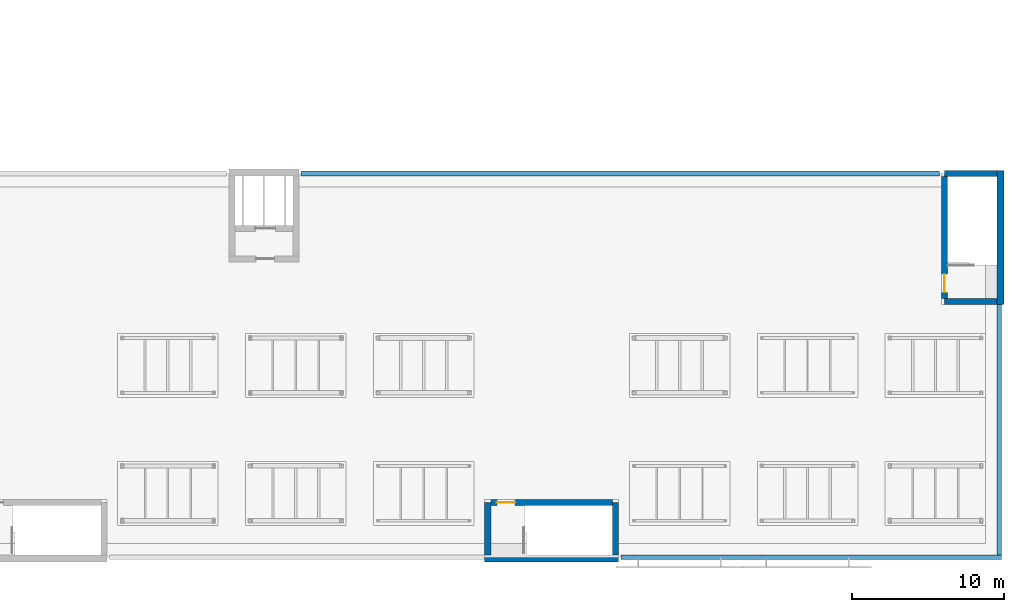
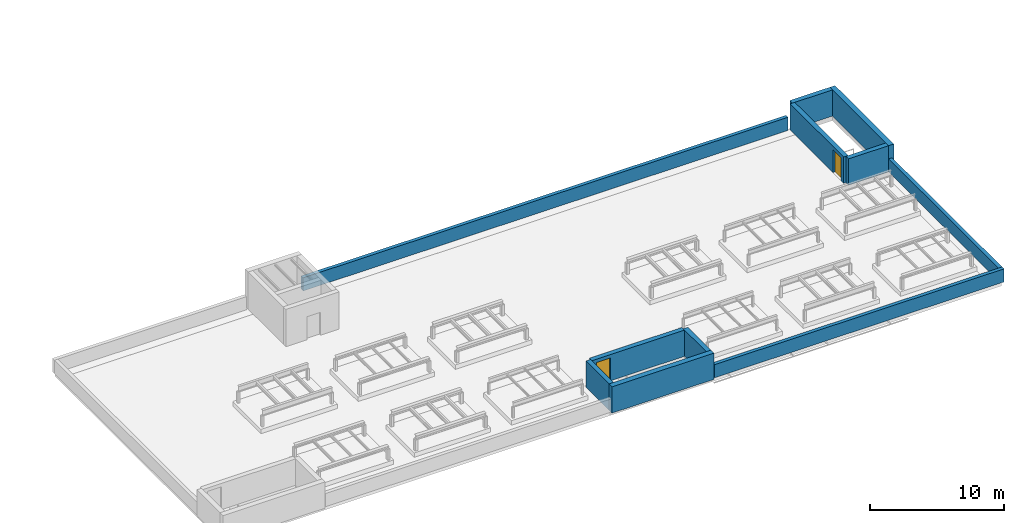
# One storey, part 13 of 18: 11 walls, 2 doors, 2 openings.
"""IFC4 building model written with IfcOpenShell, lengths in metres."""

import ifcopenshell
import ifcopenshell.guid

model = None  # the IFC model being written
_history = None  # IfcOwnerHistory: only IFC2X3 demands one
_inside = {}  # id of a spatial element -> (the spatial element, [elements in it])
_under = {}  # id of a project, library or spatial element -> (it, [spatial elements below it])
_declared = {}  # id of a project -> (the project, [libraries it declares])
_typed = {}  # id of a type object -> (the type object, [elements of that type])
_made_of = {}  # id of a material, layer set ... -> (it, [elements and type objects made of it])


def new_model(schema):
    """Start an empty IFC model of exactly this schema.

    Asked for "IFC4X3", IfcOpenShell would pick the latest addendum, in which some entities
    have other attributes; the version numbers below select the first issue.
    IFC2X3 requires an IfcOwnerHistory on every rooted entity: one is made here for all.
    """
    global model, _history
    if schema == "IFC4X3":
        model = ifcopenshell.file(schema_version=(4, 3, 0, 0))
    else:
        model = ifcopenshell.file(schema=schema)
    _inside.clear()
    _under.clear()
    _declared.clear()
    _typed.clear()
    _made_of.clear()
    _history = None
    if model.schema == "IFC2X3":
        org = make("IfcOrganization", Name="unknown")
        user = make(
            "IfcPersonAndOrganization",
            ThePerson=make("IfcPerson", FamilyName="unknown"),
            TheOrganization=org,
        )
        app = make(
            "IfcApplication",
            ApplicationDeveloper=org,
            Version="unknown",
            ApplicationFullName="unknown",
            ApplicationIdentifier="unknown",
        )
        _history = make(
            "IfcOwnerHistory",
            OwningUser=user,
            OwningApplication=app,
            ChangeAction="ADDED",
            CreationDate=0,
        )
    return model


def make(cls, **values):
    """One entity of the class cls with the attributes given. An attribute that is None is left unset."""
    return model.create_entity(
        cls, **{name: value for name, value in values.items() if value is not None}
    )


def rooted(cls, **values):
    """An entity with a GlobalId (a new one), such as an element, a storey or a relation."""
    return make(cls, GlobalId=ifcopenshell.guid.new(), OwnerHistory=_history, **values)


def si_unit(unit_type, name, prefix=None):
    """IfcSIUnit, for example si_unit("LENGTHUNIT", "METRE", prefix="MILLI")."""
    return make("IfcSIUnit", UnitType=unit_type, Prefix=prefix, Name=name)


def assignment(units):
    """IfcUnitAssignment: the units of a project."""
    return None if units is None else make("IfcUnitAssignment", Units=units)


def point(xyz):
    """IfcCartesianPoint."""
    return None if xyz is None else make("IfcCartesianPoint", Coordinates=xyz)


def direction(xyz):
    """IfcDirection."""
    return None if xyz is None else make("IfcDirection", DirectionRatios=xyz)


def frame(location, z_axis=None, x_axis=None):
    """IfcAxis2Placement3D, a coordinate frame: its origin and axes. An axis left out is left unset."""
    return make(
        "IfcAxis2Placement3D",
        Location=point(location),
        Axis=direction(z_axis),
        RefDirection=direction(x_axis),
    )


def frame_2d(location, x_axis=None):
    """IfcAxis2Placement2D, a coordinate frame in the plane: its origin and x axis."""
    return make(
        "IfcAxis2Placement2D", Location=point(location), RefDirection=direction(x_axis)
    )


def origin():
    """The frame at (0, 0, 0) with its axes left unset."""
    return frame((0.0, 0.0, 0.0))


def place(relative_to, where):
    """IfcLocalPlacement: puts the frame where relative to a parent placement (None: the world)."""
    return make(
        "IfcLocalPlacement", PlacementRelTo=relative_to, RelativePlacement=where
    )


def context(
    kind, dimensions, precision=None, world=None, true_north=None, identifier=None
):
    """IfcGeometricRepresentationContext, for example the 3D "Model" context."""
    return make(
        "IfcGeometricRepresentationContext",
        ContextIdentifier=identifier,
        ContextType=kind,
        CoordinateSpaceDimension=dimensions,
        Precision=precision,
        WorldCoordinateSystem=world,
        TrueNorth=true_north,
    )


def subcontext(parent, identifier, kind, view, scale=None):
    """IfcGeometricRepresentationSubContext, for example "Body" below "Model"."""
    return make(
        "IfcGeometricRepresentationSubContext",
        ContextIdentifier=identifier,
        ContextType=kind,
        ParentContext=parent,
        TargetScale=scale,
        TargetView=view,
    )


def project(units=None, contexts=None):
    """IfcProject with its units and contexts."""
    return rooted(
        "IfcProject",
        Name="project",
        RepresentationContexts=contexts,
        UnitsInContext=assignment(units),
    )


def spatial(cls, under=None, at=None, **own):
    """A site, building, storey or space (cls), placed at a placement, below another one or the project."""
    s = rooted(cls, ObjectPlacement=at, **own)
    if under is not None:
        _under.setdefault(under.id(), (under, []))[1].append(s)
    return s


def profile(cls, at=None, kind="AREA", **sizes):
    """A parametric profile (cls). Its sizes go by their IFC names, for example OverallWidth=200.0."""
    return make(cls, ProfileType=kind, Position=at, **sizes)


def rectangle(**sizes):
    """IfcRectangleProfileDef."""
    return profile("IfcRectangleProfileDef", **sizes)


def extrude(swept, where, along, depth):
    """IfcExtrudedAreaSolid: the profile swept, set in the frame where, extruded along a direction by depth."""
    return make(
        "IfcExtrudedAreaSolid",
        SweptArea=swept,
        Position=where,
        ExtrudedDirection=direction(along),
        Depth=depth,
    )


def shape(context_of_items, identifier, shape_type, items):
    """IfcShapeRepresentation: the items that make up one representation, for example the "Body"."""
    return make(
        "IfcShapeRepresentation",
        ContextOfItems=context_of_items,
        RepresentationIdentifier=identifier,
        RepresentationType=shape_type,
        Items=items,
    )


def material(Name=None, Category=None):
    """IfcMaterial."""
    return make("IfcMaterial", Name=Name, Category=Category)


def layer(
    of_material, thickness, ventilated=None, Name=None, Category=None, Priority=None
):
    """IfcMaterialLayer: one layer of a wall or slab, of a material (None: an air gap)."""
    return make(
        "IfcMaterialLayer",
        Material=of_material,
        LayerThickness=thickness,
        IsVentilated=ventilated,
        Name=Name,
        Category=Category,
        Priority=Priority,
    )


def layer_set(layers, Name=None):
    """IfcMaterialLayerSet."""
    return make("IfcMaterialLayerSet", MaterialLayers=layers, LayerSetName=Name)


def made_of(thing, what):
    """Note that an element or type object is made of a material, layer set ...; save() writes the relation."""
    if what is not None:
        _made_of.setdefault(what.id(), (what, []))[1].append(thing)
    return thing


def type_object(cls, material=None, **own):
    """A type object (cls), such as IfcWallType, which elements share."""
    return made_of(rooted(cls, **own), material)


def element(
    cls,
    number,
    at=None,
    inside=None,
    cuts=None,
    type_object=None,
    material=None,
    context=None,
    identifier="Body",
    shape_type=None,
    held_by="IfcProductDefinitionShape",
    body=None,
    shapes=None,
    **own,
):
    """One element of the class cls, such as IfcWall. Its Tag is "e" and its number.

    at: its placement. inside: the storey or other place that contains it. cuts: it is an
    opening in that element (IfcRelVoidsElement). A single representation is given by context,
    identifier, shape_type and body (its items); several are given by shapes. held_by: the class
    of the entity that holds the representations. save() writes the other relations.
    """
    e = rooted(cls, Tag="e%d" % number, ObjectPlacement=at, **own)
    if body is not None:
        shapes = [shape(context, identifier, shape_type, body)]
    if shapes is not None:
        e.Representation = make(held_by, Representations=shapes)
    if inside is not None:
        _inside.setdefault(inside.id(), (inside, []))[1].append(e)
    if cuts is not None:
        rooted(
            "IfcRelVoidsElement", RelatingBuildingElement=cuts, RelatedOpeningElement=e
        )
    if type_object is not None:
        _typed.setdefault(type_object.id(), (type_object, []))[1].append(e)
    return made_of(e, material)


def fill(opening, filler):
    """IfcRelFillsElement: the door or window that sits in an opening."""
    return rooted(
        "IfcRelFillsElement",
        RelatingOpeningElement=opening,
        RelatedBuildingElement=filler,
    )


def aggregate(whole, parts):
    """IfcRelAggregates: a whole, such as a stair, and the parts it consists of."""
    return rooted("IfcRelAggregates", RelatingObject=whole, RelatedObjects=parts)


def save(model, path):
    """Write the relations noted so far, then the file.

    IfcRelAggregates (storeys below a building ...), IfcRelContainedInSpatialStructure (elements
    in a storey), IfcRelDefinesByType, IfcRelAssociatesMaterial and IfcRelDeclares: one each for
    every whole, place, type object, material and project.
    """
    for whole, parts in _under.values():
        aggregate(whole, parts)
    for where, things in _inside.values():
        rooted(
            "IfcRelContainedInSpatialStructure",
            RelatedElements=things,
            RelatingStructure=where,
        )
    for kind, things in _typed.values():
        rooted("IfcRelDefinesByType", RelatedObjects=things, RelatingType=kind)
    for what, things in _made_of.values():
        rooted("IfcRelAssociatesMaterial", RelatedObjects=things, RelatingMaterial=what)
    for by, libraries in _declared.values():
        rooted("IfcRelDeclares", RelatingContext=by, RelatedDefinitions=libraries)
    model.write(path)


model = new_model("IFC4")

# Units and contexts
model_context = context("Model", 3, precision=1e-05, world=origin(), true_north=direction((0.0, 1.0)))
body_context = subcontext(model_context, "Body", "Model", "MODEL_VIEW")
ifc_project = project(units=[si_unit("LENGTHUNIT", "METRE"), si_unit("AREAUNIT", "SQUARE_METRE"), si_unit("VOLUMEUNIT", "CUBIC_METRE"), si_unit("PLANEANGLEUNIT", "RADIAN"), si_unit("MASSUNIT", "GRAM", prefix="KILO")], contexts=[model_context])

# Site, building, storey
site_placement = place(None, origin())
site = spatial("IfcSite", under=ifc_project, at=site_placement, CompositionType="ELEMENT")
building_placement = place(site_placement, origin())
building = spatial("IfcBuilding", under=site, at=building_placement, Name="Yavir Park General Hospital", CompositionType="ELEMENT")
storey_placement = place(building_placement, frame((0.0, 0.0, 29.699951171875)))
storey = spatial("IfcBuildingStorey", under=building, at=storey_placement, Name="RF", CompositionType="ELEMENT", Elevation=29.699951171875)

# Walls
ifc_material_1 = material(Name="Concrete C35/45", Category="concrete")
ifc_layer_1 = layer(ifc_material_1, 0.39990234375)
ifc_layer_set_1 = layer_set([ifc_layer_1], Name="Concrete C35/45")
wall_type_1 = type_object("IfcWallType", Name="Reinforced concrete core wall 400, REI 150", PredefinedType="SHEAR", material=ifc_layer_set_1)
for number, where, z_axis, x_axis, name in (
    (1, (134.39990234375, 0.14990234375, 0.0), (0.0, 0.0, 1.0), (0.0, 1.0, 0.0), "Head-house end wall SU5 E1"),
    (2, (142.800048828125, 0.14990234375, 0.0), (0.0, 0.0, 1.0), (0.0, 1.0, 0.0), "Head-house end wall SU5 E2"),
):
    element("IfcWall", number, at=place(storey_placement, frame(where, z_axis=z_axis, x_axis=x_axis)), inside=storey, type_object=wall_type_1, Name=name, PredefinedType="SHEAR", context=body_context, shape_type="SweptSolid", body=[
        extrude(rectangle(XDim=3.4501953125, YDim=0.39990234375, at=frame_2d((1.72509765625, 0.0))), origin(), (0.0, 0.0, 1.0), 2.400146484375),
    ])

# Wall, opening, door
wall_1_placement = place(storey_placement, frame((134.60009765625, 3.60009765625, 0.0), z_axis=(0.0, 0.0, 1.0), x_axis=(1.0, 0.0, 0.0)))
wall_1 = element("IfcWall", 3, at=wall_1_placement, inside=storey, type_object=wall_type_1, Name="Head-house landing wall SU5", PredefinedType="SHEAR", context=body_context, shape_type="SweptSolid", body=[
    extrude(rectangle(XDim=8.0, YDim=0.39990234375, at=frame_2d((4.0, 0.0))), origin(), (0.0, 0.0, 1.0), 2.400146484375),
])
opening_1_placement = place(wall_1_placement, frame((0.39990234375, 0.0, 0.0)))
opening_1 = element("IfcOpeningElement", 4, at=opening_1_placement, cuts=wall_1, Name="Opening RF.X04", PredefinedType="OPENING", context=body_context, shape_type="SweptSolid", body=[
    extrude(rectangle(XDim=1.199951171875, YDim=2.10009765625, at=frame_2d((0.60009765625, 1.050048828125))), frame((0.0, 0.2099609375, 0.0), z_axis=(0.0, -1.0, 0.0), x_axis=(1.0, 0.0, 0.0)), (0.0, 0.0, 1.0), 0.419921875),
])
ifc_material_2 = material(Name="Steel frame, fire-resisting timber leaf", Category="steel")
door_type = type_object("IfcDoorType", Name="Fire door 1200 x 2100, EI 60", OperationType="SINGLE_SWING_LEFT", PredefinedType="DOOR", material=ifc_material_2)
door_1_placement = place(opening_1_placement, origin())
door_1 = element("IfcDoor", 5, at=door_1_placement, inside=storey, type_object=door_type, Name="RF.X04", OperationType="SINGLE_SWING_RIGHT", OverallHeight=2.10009765625, OverallWidth=1.199951171875, PredefinedType="DOOR", context=body_context, shape_type="SweptSolid", body=[
    extrude(rectangle(XDim=1.199951171875, YDim=2.10009765625, at=frame_2d((0.60009765625, 1.050048828125))), frame((0.0, 0.02490234375, 0.0), z_axis=(0.0, -1.0, 0.0), x_axis=(1.0, 0.0, 0.0)), (0.0, 0.0, 1.0), 0.050048828125),
])
fill(opening_1, door_1)

# Walls
for number, where, z_axis, x_axis, name in (
    (6, (167.85009765625, 16.800048828125, 0.0), (0.0, 0.0, 1.0), (-1.0, 0.0, 0.0), "Head-house end wall SU6 E1"),
    (7, (167.85009765625, 25.199951171875, 0.0), (0.0, 0.0, 1.0), (-1.0, 0.0, 0.0), "Head-house end wall SU6 E2"),
):
    element("IfcWall", number, at=place(storey_placement, frame(where, z_axis=z_axis, x_axis=x_axis)), inside=storey, type_object=wall_type_1, Name=name, PredefinedType="SHEAR", context=body_context, shape_type="SweptSolid", body=[
        extrude(rectangle(XDim=3.4501953125, YDim=0.39990234375, at=frame_2d((1.72509765625, 0.0))), origin(), (0.0, 0.0, 1.0), 2.400146484375),
    ])

# Wall, opening, door
wall_2_placement = place(storey_placement, frame((164.39990234375, 17.0, 0.0), z_axis=(0.0, 0.0, 1.0), x_axis=(0.0, 1.0, 0.0)))
wall_2 = element("IfcWall", 8, at=wall_2_placement, inside=storey, type_object=wall_type_1, Name="Head-house landing wall SU6", PredefinedType="SHEAR", context=body_context, shape_type="SweptSolid", body=[
    extrude(rectangle(XDim=8.0, YDim=0.39990234375, at=frame_2d((4.0, 0.0))), origin(), (0.0, 0.0, 1.0), 2.400146484375),
])
opening_2_placement = place(wall_2_placement, frame((0.39990234375, 0.0, 0.0)))
opening_2 = element("IfcOpeningElement", 9, at=opening_2_placement, cuts=wall_2, Name="Opening RF.X05", PredefinedType="OPENING", context=body_context, shape_type="SweptSolid", body=[
    extrude(rectangle(XDim=1.199951171875, YDim=2.10009765625, at=frame_2d((0.60009765625, 1.050048828125))), frame((0.0, 0.2099609375, 0.0), z_axis=(0.0, -1.0, 0.0), x_axis=(1.0, 0.0, 0.0)), (0.0, 0.0, 1.0), 0.419921875),
])
door_2_placement = place(opening_2_placement, origin())
door_2 = element("IfcDoor", 10, at=door_2_placement, inside=storey, type_object=door_type, Name="RF.X05", OperationType="SINGLE_SWING_RIGHT", OverallHeight=2.10009765625, OverallWidth=1.199951171875, PredefinedType="DOOR", context=body_context, shape_type="SweptSolid", body=[
    extrude(rectangle(XDim=1.199951171875, YDim=2.10009765625, at=frame_2d((0.60009765625, 1.050048828125))), frame((0.0, 0.02490234375, 0.0), z_axis=(0.0, -1.0, 0.0), x_axis=(1.0, 0.0, 0.0)), (0.0, 0.0, 1.0), 0.050048828125),
])
fill(opening_2, door_2)

# Walls
ifc_material_3 = material(Name="Concrete C30/37", Category="concrete")
ifc_layer_2 = layer(ifc_material_3, 0.300048828125)
ifc_layer_set_2 = layer_set([ifc_layer_2], Name="Concrete C30/37")
wall_type_2 = type_object("IfcWallType", Name="Roof parapet 300 x 1200", PredefinedType="PARAPET", material=ifc_layer_set_2)
wall_3_placement = place(storey_placement, frame((143.14990234375, 0.0, 0.0), z_axis=(0.0, 0.0, 1.0), x_axis=(1.0, 0.0, 0.0)))
element("IfcWall", 11, at=wall_3_placement, inside=storey, type_object=wall_type_2, Name="Parapet L061008-0.2.0", PredefinedType="PARAPET", context=body_context, shape_type="SweptSolid", body=[
    extrude(rectangle(XDim=25.0, YDim=0.300048828125, at=frame_2d((12.5, 0.0))), origin(), (0.0, 0.0, 1.0), 1.199951171875),
])
wall_4_placement = place(storey_placement, frame((168.0, 0.14990234375, 0.0), z_axis=(0.0, 0.0, 1.0), x_axis=(0.0, 1.0, 0.0)))
element("IfcWall", 12, at=wall_4_placement, inside=storey, type_object=wall_type_2, Name="Parapet L061008-0.2.1", PredefinedType="PARAPET", context=body_context, shape_type="SweptSolid", body=[
    extrude(rectangle(XDim=16.4501953125, YDim=0.300048828125, at=frame_2d((8.22509765625, 0.0))), origin(), (0.0, 0.0, 1.0), 1.199951171875),
])
wall_5_placement = place(storey_placement, frame((164.050048828125, 25.199951171875, 0.0), z_axis=(0.0, 0.0, 1.0), x_axis=(-1.0, 0.0, 0.0)))
element("IfcWall", 13, at=wall_5_placement, inside=storey, type_object=wall_type_2, Name="Parapet L061008-0.3.0", PredefinedType="PARAPET", context=body_context, shape_type="SweptSolid", body=[
    extrude(rectangle(XDim=41.900146484375, YDim=0.300048828125, at=frame_2d((20.9501953125, 0.0))), origin(), (0.0, 0.0, 1.0), 1.199951171875),
])
ifc_material_4 = material(Name="Concrete C30/37 precast panel with 150 mm mineral wool insulation", Category="concrete")
ifc_layer_3 = layer(ifc_material_4, 0.449951171875)
ifc_layer_set_3 = layer_set([ifc_layer_3], Name="Concrete C30/37 precast panel with 150 mm mineral wool insulation")
wall_type_3 = type_object("IfcWallType", Name="Stair enclosure wall 450, REI 150", PredefinedType="SOLIDWALL", material=ifc_layer_set_3)
wall_6_placement = place(storey_placement, frame((134.199951171875, -0.074951171875, 0.0), z_axis=(0.0, 0.0, 1.0), x_axis=(1.0, 0.0, 0.0)))
element("IfcWall", 14, at=wall_6_placement, inside=storey, type_object=wall_type_3, Name="Head-house facade wall SU5", PredefinedType="SOLIDWALL", context=body_context, shape_type="SweptSolid", body=[
    extrude(rectangle(XDim=8.800048828125, YDim=0.449951171875, at=frame_2d((4.39990234375, 0.0))), origin(), (0.0, 0.0, 1.0), 2.400146484375),
])
wall_7_placement = place(storey_placement, frame((168.074951171875, 16.60009765625, 0.0), z_axis=(0.0, 0.0, 1.0), x_axis=(0.0, 1.0, 0.0)))
element("IfcWall", 15, at=wall_7_placement, inside=storey, type_object=wall_type_3, Name="Head-house facade wall SU6", PredefinedType="SOLIDWALL", context=body_context, shape_type="SweptSolid", body=[
    extrude(rectangle(XDim=8.7998046875, YDim=0.449951171875, at=frame_2d((4.39990234375, 0.0))), origin(), (0.0, 0.0, 1.0), 2.400146484375),
])

save(model, "model.ifc")
